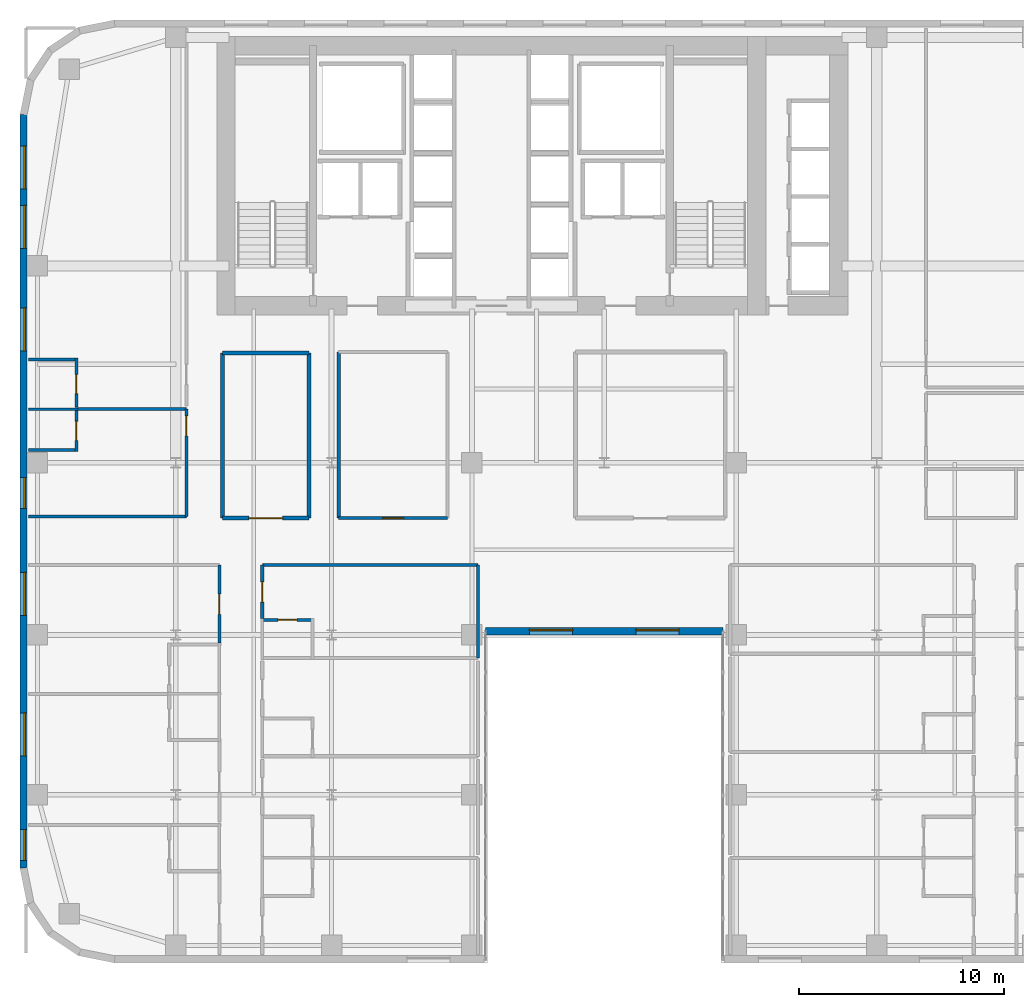
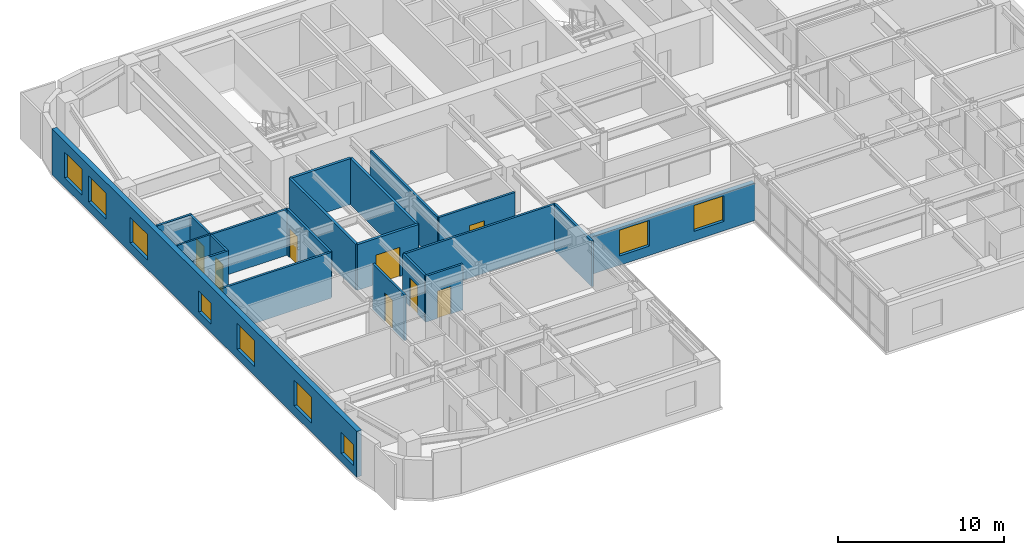
# One storey, part 11 of 17: 21 walls, 9 windows, 8 doors, 17 openings.
"""IFC4 building model written with IfcOpenShell, lengths in metres."""

from ifc_helpers import new_model, si_unit, direction, frame, frame_2d, origin, place, context, subcontext, project, spatial, rectangle, extrude, source, transform, mapped, material, layer, layer_set, type_object, type_shapes, element, fill, save


model = new_model("IFC4")

# Units and contexts
model_context = context("Model", 3, precision=1e-05, world=origin(), true_north=direction((0.0, 1.0)))
body_context = subcontext(model_context, "Body", "Model", "MODEL_VIEW")
ifc_project = project(units=[si_unit("LENGTHUNIT", "METRE"), si_unit("AREAUNIT", "SQUARE_METRE"), si_unit("VOLUMEUNIT", "CUBIC_METRE"), si_unit("PLANEANGLEUNIT", "RADIAN"), si_unit("MASSUNIT", "GRAM", prefix="KILO")], contexts=[model_context])

# Site, building, storey
site_placement = place(None, origin())
site = spatial("IfcSite", under=ifc_project, at=site_placement, CompositionType="ELEMENT")
building_placement = place(site_placement, origin())
building = spatial("IfcBuilding", under=site, at=building_placement, Name="Tolvann Quenvar Hotel", CompositionType="ELEMENT")
storey_placement = place(building_placement, frame((0.0, 0.0, 42.64990234375)))
storey = spatial("IfcBuildingStorey", under=building, at=storey_placement, Name="L09", CompositionType="ELEMENT", Elevation=42.64990234375)

# Wall, openings, windows
ifc_material_1 = material(Name="Kiln-fired red and buff architectural clay brickwork and terracotta masonry", Category="masonry")
ifc_layer_1 = layer(ifc_material_1, 0.35009765625)
ifc_layer_set_1 = layer_set([ifc_layer_1], Name="Kiln-fired red and buff architectural clay brickwork and terracotta masonry")
wall_type_1 = type_object("IfcWallType", Name="WALL_EXT_BRICK_350", PredefinedType="SOLIDWALL", material=ifc_layer_set_1)
wall_1_placement = place(storey_placement, frame((22.7099609375, 16.175048828125, 0.0), z_axis=(0.0, 0.0, 1.0), x_axis=(1.0, 0.0, 0.0)))
wall_1 = element("IfcWall", 1, at=wall_1_placement, inside=storey, type_object=wall_type_1, Name="Exterior Chicago Brick Wall L09-E06", PredefinedType="SOLIDWALL", context=body_context, shape_type="SweptSolid", body=[
    extrude(rectangle(XDim=11.580078125, YDim=0.35009765625, at=frame_2d((5.7900390625, 0.0))), origin(), (0.0, 0.0, 1.0), 2.748046875),
])
opening_1_placement = place(wall_1_placement, frame((2.14501953125, 0.0, 0.679931640625)))
opening_1 = element("IfcOpeningElement", 2, at=opening_1_placement, cuts=wall_1, Name="Opening W-02", PredefinedType="OPENING", context=body_context, shape_type="SweptSolid", body=[
    extrude(rectangle(XDim=2.10009765625, YDim=1.89990234375, at=frame_2d((1.050048828125, 0.949951171875))), frame((0.0, 0.18505859375, 0.0), z_axis=(0.0, -1.0, 0.0), x_axis=(1.0, 0.0, 0.0)), (0.0, 0.0, 1.0), 0.3701171875),
])
opening_2_placement = place(wall_1_placement, frame((7.3349609375, 0.0, 0.679931640625)))
opening_2 = element("IfcOpeningElement", 3, at=opening_2_placement, cuts=wall_1, Name="Opening W-02", PredefinedType="OPENING", context=body_context, shape_type="SweptSolid", body=[
    extrude(rectangle(XDim=2.10009765625, YDim=1.89990234375, at=frame_2d((1.050048828125, 0.949951171875))), frame((0.0, 0.18505859375, 0.0), z_axis=(0.0, -1.0, 0.0), x_axis=(1.0, 0.0, 0.0)), (0.0, 0.0, 1.0), 0.3701171875),
])
ifc_material_2 = material(Name="Thermally broken bronze-anodised aluminium frame with double low-E glazing", Category="aluminium")
window_type_1 = type_object("IfcWindowType", Name="WIN_CHI_2100x2050", PartitioningType="TRIPLE_PANEL_HORIZONTAL", PredefinedType="WINDOW", material=ifc_material_2)
shared_shape_1 = source(origin(), body_context, "Body", "SweptSolid", [
    extrude(rectangle(XDim=2.10009765625, YDim=1.89990234375, at=frame_2d((1.050048828125, 0.949951171875))), frame((0.0, 0.090087890625, 0.0), z_axis=(0.0, -1.0, 0.0), x_axis=(1.0, 0.0, 0.0)), (0.0, 0.0, 1.0), 0.06005859375),
])
type_shapes(window_type_1, [shared_shape_1])
window_1_placement = place(opening_1_placement, origin())
window_1 = element("IfcWindow", 4, at=window_1_placement, inside=storey, type_object=window_type_1, Name="Chicago Window W-02 (EW-L09-E06-W01)", OverallHeight=1.89990234375, OverallWidth=2.10009765625, PartitioningType="TRIPLE_PANEL_HORIZONTAL", PredefinedType="WINDOW", context=body_context, shape_type="MappedRepresentation", body=[
    mapped(shared_shape_1, transform((0.0, 0.0, 0.0), x_axis=(1.0, 0.0, 0.0), y_axis=(0.0, 1.0, 0.0), z_axis=(0.0, 0.0, 1.0), scale=1.0)),
])
fill(opening_1, window_1)
window_2_placement = place(opening_2_placement, origin())
window_2 = element("IfcWindow", 5, at=window_2_placement, inside=storey, type_object=window_type_1, Name="Chicago Window W-02 (EW-L09-E06-W02)", OverallHeight=1.89990234375, OverallWidth=2.10009765625, PartitioningType="TRIPLE_PANEL_HORIZONTAL", PredefinedType="WINDOW", context=body_context, shape_type="MappedRepresentation", body=[
    mapped(shared_shape_1, transform((0.0, 0.0, 0.0), x_axis=(1.0, 0.0, 0.0), y_axis=(0.0, 1.0, 0.0), z_axis=(0.0, 0.0, 1.0), scale=1.0)),
])
fill(opening_2, window_2)

wall_2_placement = place(storey_placement, frame((0.175048828125, 41.3828125, 0.0), z_axis=(0.0, 0.0, 1.0), x_axis=(0.0, -1.0, 0.0)))
wall_2 = element("IfcWall", 6, at=wall_2_placement, inside=storey, type_object=wall_type_1, Name="Exterior Chicago Brick Wall L09-E23", PredefinedType="SOLIDWALL", context=body_context, shape_type="SweptSolid", body=[
    extrude(rectangle(XDim=36.765625, YDim=0.35009765625, at=frame_2d((18.3828125, 0.0))), origin(), (0.0, 0.0, 1.0), 3.3701171875),
])
opening_3_placement = place(wall_2_placement, frame((1.52587890625, 0.0, 0.679931640625)))
opening_3 = element("IfcOpeningElement", 7, at=opening_3_placement, cuts=wall_2, Name="Opening W-02", PredefinedType="OPENING", context=body_context, shape_type="SweptSolid", body=[
    extrude(rectangle(XDim=2.10009765625, YDim=1.89990234375, at=frame_2d((1.050048828125, 0.949951171875))), frame((0.0, 0.18505859375, 0.0), z_axis=(0.0, -1.0, 0.0), x_axis=(1.0, 0.0, 0.0)), (0.0, 0.0, 1.0), 0.3701171875),
])
opening_4_placement = place(wall_2_placement, frame((4.427978515625, 0.0, 0.679931640625)))
opening_4 = element("IfcOpeningElement", 8, at=opening_4_placement, cuts=wall_2, Name="Opening W-02", PredefinedType="OPENING", context=body_context, shape_type="SweptSolid", body=[
    extrude(rectangle(XDim=2.10009765625, YDim=1.89990234375, at=frame_2d((1.050048828125, 0.949951171875))), frame((0.0, 0.18505859375, 0.0), z_axis=(0.0, -1.0, 0.0), x_axis=(1.0, 0.0, 0.0)), (0.0, 0.0, 1.0), 0.3701171875),
])
opening_5_placement = place(wall_2_placement, frame((9.428955078125, 0.0, 0.679931640625)))
opening_5 = element("IfcOpeningElement", 9, at=opening_5_placement, cuts=wall_2, Name="Opening W-02", PredefinedType="OPENING", context=body_context, shape_type="SweptSolid", body=[
    extrude(rectangle(XDim=2.10009765625, YDim=1.89990234375, at=frame_2d((1.050048828125, 0.949951171875))), frame((0.0, 0.18505859375, 0.0), z_axis=(0.0, -1.0, 0.0), x_axis=(1.0, 0.0, 0.0)), (0.0, 0.0, 1.0), 0.3701171875),
])
opening_6_placement = place(wall_2_placement, frame((22.3349609375, 0.0, 0.679931640625)))
opening_6 = element("IfcOpeningElement", 10, at=opening_6_placement, cuts=wall_2, Name="Opening W-02", PredefinedType="OPENING", context=body_context, shape_type="SweptSolid", body=[
    extrude(rectangle(XDim=2.10009765625, YDim=1.89990234375, at=frame_2d((1.050048828125, 0.949951171875))), frame((0.0, 0.18505859375, 0.0), z_axis=(0.0, -1.0, 0.0), x_axis=(1.0, 0.0, 0.0)), (0.0, 0.0, 1.0), 0.3701171875),
])
opening_7_placement = place(wall_2_placement, frame((29.18798828125, 0.0, 0.679931640625)))
opening_7 = element("IfcOpeningElement", 11, at=opening_7_placement, cuts=wall_2, Name="Opening W-02", PredefinedType="OPENING", context=body_context, shape_type="SweptSolid", body=[
    extrude(rectangle(XDim=2.10009765625, YDim=1.89990234375, at=frame_2d((1.050048828125, 0.949951171875))), frame((0.0, 0.18505859375, 0.0), z_axis=(0.0, -1.0, 0.0), x_axis=(1.0, 0.0, 0.0)), (0.0, 0.0, 1.0), 0.3701171875),
])
opening_8_placement = place(wall_2_placement, frame((34.87890625, 0.0, 0.6201171875)))
opening_8 = element("IfcOpeningElement", 12, at=opening_8_placement, cuts=wall_2, Name="Opening W-08", PredefinedType="OPENING", context=body_context, shape_type="SweptSolid", body=[
    extrude(rectangle(XDim=1.5, YDim=1.550048828125, at=frame_2d((0.75, 0.77490234375))), frame((0.0, 0.18505859375, 0.0), z_axis=(0.0, -1.0, 0.0), x_axis=(1.0, 0.0, 0.0)), (0.0, 0.0, 1.0), 0.3701171875),
])
opening_9_placement = place(wall_2_placement, frame((17.7041015625, 0.0, 0.6201171875)))
opening_9 = element("IfcOpeningElement", 13, at=opening_9_placement, cuts=wall_2, Name="Opening W-08", PredefinedType="OPENING", context=body_context, shape_type="SweptSolid", body=[
    extrude(rectangle(XDim=1.5, YDim=1.550048828125, at=frame_2d((0.75, 0.77490234375))), frame((0.0, 0.18505859375, 0.0), z_axis=(0.0, -1.0, 0.0), x_axis=(1.0, 0.0, 0.0)), (0.0, 0.0, 1.0), 0.3701171875),
])
window_type_2 = type_object("IfcWindowType", Name="WIN_COR_1500x2050", PartitioningType="SINGLE_PANEL", PredefinedType="WINDOW", material=ifc_material_2)
shared_shape_2 = source(origin(), body_context, "Body", "SweptSolid", [
    extrude(rectangle(XDim=1.5, YDim=1.550048828125, at=frame_2d((0.75, 0.77490234375))), frame((0.0, 0.090087890625, 0.0), z_axis=(0.0, -1.0, 0.0), x_axis=(1.0, 0.0, 0.0)), (0.0, 0.0, 1.0), 0.06005859375),
])
type_shapes(window_type_2, [shared_shape_2])
window_3_placement = place(opening_8_placement, origin())
window_3 = element("IfcWindow", 14, at=window_3_placement, inside=storey, type_object=window_type_2, Name="Chicago Window W-08 (EW-L09-E23-WD06)", OverallHeight=1.550048828125, OverallWidth=1.5, PartitioningType="SINGLE_PANEL", PredefinedType="WINDOW", context=body_context, shape_type="MappedRepresentation", body=[
    mapped(shared_shape_2, transform((0.0, 0.0, 0.0), x_axis=(1.0, 0.0, 0.0), y_axis=(0.0, 1.0, 0.0), z_axis=(0.0, 0.0, 1.0), scale=1.0)),
])
fill(opening_8, window_3)
window_4_placement = place(opening_9_placement, origin())
window_4 = element("IfcWindow", 15, at=window_4_placement, inside=storey, type_object=window_type_2, Name="Chicago Window W-08 (EW-L09-E23-WD07)", OverallHeight=1.550048828125, OverallWidth=1.5, PartitioningType="SINGLE_PANEL", PredefinedType="WINDOW", context=body_context, shape_type="MappedRepresentation", body=[
    mapped(shared_shape_2, transform((0.0, 0.0, 0.0), x_axis=(1.0, 0.0, 0.0), y_axis=(0.0, 1.0, 0.0), z_axis=(0.0, 0.0, 1.0), scale=1.0)),
])
fill(opening_9, window_4)
window_5_placement = place(opening_3_placement, origin())
window_5 = element("IfcWindow", 16, at=window_5_placement, inside=storey, type_object=window_type_1, Name="Chicago Window W-02 (EW-L09-E23-W01)", OverallHeight=1.89990234375, OverallWidth=2.10009765625, PartitioningType="TRIPLE_PANEL_HORIZONTAL", PredefinedType="WINDOW", context=body_context, shape_type="MappedRepresentation", body=[
    mapped(shared_shape_1, transform((0.0, 0.0, 0.0), x_axis=(1.0, 0.0, 0.0), y_axis=(0.0, 1.0, 0.0), z_axis=(0.0, 0.0, 1.0), scale=1.0)),
])
fill(opening_3, window_5)
window_6_placement = place(opening_4_placement, origin())
window_6 = element("IfcWindow", 17, at=window_6_placement, inside=storey, type_object=window_type_1, Name="Chicago Window W-02 (EW-L09-E23-W02)", OverallHeight=1.89990234375, OverallWidth=2.10009765625, PartitioningType="TRIPLE_PANEL_HORIZONTAL", PredefinedType="WINDOW", context=body_context, shape_type="MappedRepresentation", body=[
    mapped(shared_shape_1, transform((0.0, 0.0, 0.0), x_axis=(1.0, 0.0, 0.0), y_axis=(0.0, 1.0, 0.0), z_axis=(0.0, 0.0, 1.0), scale=1.0)),
])
fill(opening_4, window_6)
window_7_placement = place(opening_5_placement, origin())
window_7 = element("IfcWindow", 18, at=window_7_placement, inside=storey, type_object=window_type_1, Name="Chicago Window W-02 (EW-L09-E23-W03)", OverallHeight=1.89990234375, OverallWidth=2.10009765625, PartitioningType="TRIPLE_PANEL_HORIZONTAL", PredefinedType="WINDOW", context=body_context, shape_type="MappedRepresentation", body=[
    mapped(shared_shape_1, transform((0.0, 0.0, 0.0), x_axis=(1.0, 0.0, 0.0), y_axis=(0.0, 1.0, 0.0), z_axis=(0.0, 0.0, 1.0), scale=1.0)),
])
fill(opening_5, window_7)
window_8_placement = place(opening_6_placement, origin())
window_8 = element("IfcWindow", 19, at=window_8_placement, inside=storey, type_object=window_type_1, Name="Chicago Window W-02 (EW-L09-E23-W04)", OverallHeight=1.89990234375, OverallWidth=2.10009765625, PartitioningType="TRIPLE_PANEL_HORIZONTAL", PredefinedType="WINDOW", context=body_context, shape_type="MappedRepresentation", body=[
    mapped(shared_shape_1, transform((0.0, 0.0, 0.0), x_axis=(1.0, 0.0, 0.0), y_axis=(0.0, 1.0, 0.0), z_axis=(0.0, 0.0, 1.0), scale=1.0)),
])
fill(opening_6, window_8)
window_9_placement = place(opening_7_placement, origin())
window_9 = element("IfcWindow", 20, at=window_9_placement, inside=storey, type_object=window_type_1, Name="Chicago Window W-02 (EW-L09-E23-W05)", OverallHeight=1.89990234375, OverallWidth=2.10009765625, PartitioningType="TRIPLE_PANEL_HORIZONTAL", PredefinedType="WINDOW", context=body_context, shape_type="MappedRepresentation", body=[
    mapped(shared_shape_1, transform((0.0, 0.0, 0.0), x_axis=(1.0, 0.0, 0.0), y_axis=(0.0, 1.0, 0.0), z_axis=(0.0, 0.0, 1.0), scale=1.0)),
])
fill(opening_7, window_9)

# Wall, opening, door
ifc_material_3 = material(Name="Acoustic twin-stud fire-rated gypsum plasterboard partition")
ifc_layer_2 = layer(ifc_material_3, 0.179931640625)
ifc_layer_set_2 = layer_set([ifc_layer_2], Name="Acoustic twin-stud fire-rated gypsum plasterboard partition")
wall_type_2 = type_object("IfcWallType", Name="WALL_PART_ACOUSTIC_180", PredefinedType="PARTITIONING", material=ifc_layer_set_2)
wall_3_placement = place(storey_placement, frame((9.8798828125, 21.699951171875, 0.0), z_axis=(0.0, 0.0, 1.0), x_axis=(1.0, 0.0, 0.0)))
wall_3 = element("IfcWall", 21, at=wall_3_placement, inside=storey, type_object=wall_type_2, Name="Interior Partition PT-SPC-L09-MSP-W-S", PredefinedType="PARTITIONING", context=body_context, shape_type="SweptSolid", body=[
    extrude(rectangle(XDim=4.22021484375, YDim=0.179931640625, at=frame_2d((2.110107421875, 0.0))), origin(), (0.0, 0.0, 1.0), 3.3701171875),
])
opening_10_placement = place(wall_3_placement, frame((1.284912109375, 0.0, 0.0)))
opening_10 = element("IfcOpeningElement", 22, at=opening_10_placement, cuts=wall_3, Name="Opening AD-01", PredefinedType="OPENING", context=body_context, shape_type="SweptSolid", body=[
    extrude(rectangle(XDim=1.64990234375, YDim=2.14990234375, at=frame_2d((0.824951171875, 1.074951171875))), frame((0.0, 0.10009765625, 0.0), z_axis=(0.0, -1.0, 0.0), x_axis=(1.0, 0.0, 0.0)), (0.0, 0.0, 1.0), 0.199951171875),
])
ifc_material_4 = material(Name="Solid-core American oak acoustic fire door leaf in steel frame", Category="steel")
door_type_1 = type_object("IfcDoorType", Name="DOOR_SALON_1650", OperationType="NOTDEFINED", PredefinedType="DOOR", material=ifc_material_4)
shared_shape_3 = source(origin(), body_context, "Body", "SweptSolid", [
    extrude(rectangle(XDim=1.64990234375, YDim=2.14990234375, at=frame_2d((0.824951171875, 1.074951171875))), frame((0.0, 0.02490234375, 0.0), z_axis=(0.0, -1.0, 0.0), x_axis=(1.0, 0.0, 0.0)), (0.0, 0.0, 1.0), 0.050048828125),
])
type_shapes(door_type_1, [shared_shape_3])
door_1_placement = place(opening_10_placement, origin())
door_1 = element("IfcDoor", 23, at=door_1_placement, inside=storey, type_object=door_type_1, Name="Interior Door DOOR-SPC-L09-MSP-W", OperationType="DOUBLE_DOOR_SINGLE_SWING", OverallHeight=2.14990234375, OverallWidth=1.64990234375, PredefinedType="DOOR", context=body_context, shape_type="MappedRepresentation", body=[
    mapped(shared_shape_3, transform((0.0, 0.0, 0.0), x_axis=(1.0, 0.0, 0.0), y_axis=(0.0, 1.0, 0.0), z_axis=(0.0, 0.0, 1.0), scale=1.0)),
])
fill(opening_10, door_1)

# Walls
wall_4_placement = place(storey_placement, frame((9.8798828125, 29.75, 0.0), z_axis=(0.0, 0.0, 1.0), x_axis=(1.0, 0.0, 0.0)))
element("IfcWall", 24, at=wall_4_placement, inside=storey, type_object=wall_type_2, Name="Interior Partition PT-SPC-L09-MSP-W-N", PredefinedType="PARTITIONING", context=body_context, shape_type="SweptSolid", body=[
    extrude(rectangle(XDim=4.22021484375, YDim=0.179931640625, at=frame_2d((2.110107421875, 0.0))), origin(), (0.0, 0.0, 1.0), 3.3701171875),
])
for number, where, z_axis, x_axis, name in (
    (25, (9.8798828125, 21.699951171875, 0.0), (0.0, 0.0, 1.0), (0.0, 1.0, 0.0), "Interior Partition PT-SPC-L09-MSP-W-W"),
    (26, (14.10009765625, 21.699951171875, 0.0), (0.0, 0.0, 1.0), (0.0, 1.0, 0.0), "Interior Partition PT-SPC-L09-MSP-W-E"),
):
    element("IfcWall", number, at=place(storey_placement, frame(where, z_axis=z_axis, x_axis=x_axis)), inside=storey, type_object=wall_type_2, Name=name, PredefinedType="PARTITIONING", context=body_context, shape_type="SweptSolid", body=[
        extrude(rectangle(XDim=8.050048828125, YDim=0.179931640625, at=frame_2d((4.02490234375, 0.0))), origin(), (0.0, 0.0, 1.0), 3.3701171875),
    ])
ifc_material_5 = material(Name="Moisture-resistant acoustic plumbing wall assembly")
ifc_layer_3 = layer(ifc_material_5, 0.1201171875)
ifc_layer_set_3 = layer_set([ifc_layer_3], Name="Moisture-resistant acoustic plumbing wall assembly")
wall_type_3 = type_object("IfcWallType", Name="WALL_PART_BATH_120", PredefinedType="PLUMBINGWALL", material=ifc_layer_set_3)
wall_5_placement = place(storey_placement, frame((0.405029296875, 27.02001953125, 0.0), z_axis=(0.0, 0.0, 1.0), x_axis=(1.0, 0.0, 0.0)))
element("IfcWall", 27, at=wall_5_placement, inside=storey, type_object=wall_type_3, Name="Non-Rated Plumbing Partition PT-SPC-L09-ENS-NW01-N", PredefinedType="PLUMBINGWALL", context=body_context, shape_type="SweptSolid", body=[
    extrude(rectangle(XDim=2.4150390625, YDim=0.1201171875, at=frame_2d((1.20751953125, 0.0))), origin(), (0.0, 0.0, 1.0), 3.3701171875),
])

# Wall, opening, door
ifc_layer_4 = layer(ifc_material_3, 0.14990234375)
ifc_layer_set_4 = layer_set([ifc_layer_4], Name="Acoustic twin-stud fire-rated gypsum plasterboard partition")
wall_type_4 = type_object("IfcWallType", Name="WALL_PART_SUITE_150", PredefinedType="PARTITIONING", material=ifc_layer_set_4)
wall_6_placement = place(storey_placement, frame((11.75, 16.72998046875, 0.0), z_axis=(0.0, 0.0, 1.0), x_axis=(1.0, 0.0, 0.0)))
wall_6 = element("IfcWall", 28, at=wall_6_placement, inside=storey, type_object=wall_type_4, Name="Interior Partition PT-SPC-L09-ENS-WI04-N", PredefinedType="PARTITIONING", context=body_context, shape_type="SweptSolid", body=[
    extrude(rectangle(XDim=2.590087890625, YDim=0.14990234375, at=frame_2d((1.294921875, 0.0))), origin(), (0.0, 0.0, 1.0), 3.3701171875),
])
opening_11_placement = place(wall_6_placement, frame((0.8349609375, 0.0, 0.0)))
opening_11 = element("IfcOpeningElement", 29, at=opening_11_placement, cuts=wall_6, Name="Opening WD-01", PredefinedType="OPENING", context=body_context, shape_type="SweptSolid", body=[
    extrude(rectangle(XDim=0.919921875, YDim=2.010009765625, at=frame_2d((0.4599609375, 1.0048828125))), frame((0.0, 0.0849609375, 0.0), z_axis=(0.0, -1.0, 0.0), x_axis=(1.0, 0.0, 0.0)), (0.0, 0.0, 1.0), 0.169921875),
])
door_type_2 = type_object("IfcDoorType", Name="DOOR_WC_920", OperationType="NOTDEFINED", PredefinedType="DOOR", material=ifc_material_4)
shared_shape_4 = source(origin(), body_context, "Body", "SweptSolid", [
    extrude(rectangle(XDim=0.919921875, YDim=2.010009765625, at=frame_2d((0.4599609375, 1.0048828125))), frame((0.0, 0.02490234375, 0.0), z_axis=(0.0, -1.0, 0.0), x_axis=(1.0, 0.0, 0.0)), (0.0, 0.0, 1.0), 0.050048828125),
])
type_shapes(door_type_2, [shared_shape_4])
door_2_placement = place(opening_11_placement, origin())
door_2 = element("IfcDoor", 30, at=door_2_placement, inside=storey, type_object=door_type_2, Name="Interior Door DOOR-SPC-L09-ENS-WI04", OperationType="SINGLE_SWING_RIGHT", OverallHeight=2.010009765625, OverallWidth=0.919921875, PredefinedType="DOOR", context=body_context, shape_type="MappedRepresentation", body=[
    mapped(shared_shape_4, transform((0.0, 0.0, 0.0), x_axis=(1.0, 0.0, 0.0), y_axis=(0.0, 1.0, 0.0), z_axis=(0.0, 0.0, 1.0), scale=1.0)),
])
fill(opening_11, door_2)

wall_7_placement = place(storey_placement, frame((2.75, 24.958984375, 0.0), z_axis=(0.0, 0.0, 1.0), x_axis=(0.0, 1.0, 0.0)))
wall_7 = element("IfcWall", 31, at=wall_7_placement, inside=storey, type_object=wall_type_4, Name="Interior Partition PT-SPC-L09-ENS-NW01-ENT", PredefinedType="PARTITIONING", context=body_context, shape_type="SweptSolid", body=[
    extrude(rectangle(XDim=2.131103515625, YDim=0.14990234375, at=frame_2d((1.0654296875, 0.0))), origin(), (0.0, 0.0, 1.0), 3.3701171875),
])
opening_12_placement = place(wall_7_placement, frame((0.535400390625, 0.0, 0.0)))
opening_12 = element("IfcOpeningElement", 32, at=opening_12_placement, cuts=wall_7, Name="Opening WD-01", PredefinedType="OPENING", context=body_context, shape_type="SweptSolid", body=[
    extrude(rectangle(XDim=0.919921875, YDim=2.010009765625, at=frame_2d((0.4599609375, 1.0048828125))), frame((0.0, 0.0849609375, 0.0), z_axis=(0.0, -1.0, 0.0), x_axis=(1.0, 0.0, 0.0)), (0.0, 0.0, 1.0), 0.169921875),
])
door_3_placement = place(opening_12_placement, origin())
door_3 = element("IfcDoor", 33, at=door_3_placement, inside=storey, type_object=door_type_2, Name="Interior Door DOOR-SPC-L09-ENS-NW01", OperationType="SINGLE_SWING_RIGHT", OverallHeight=2.010009765625, OverallWidth=0.919921875, PredefinedType="DOOR", context=body_context, shape_type="MappedRepresentation", body=[
    mapped(shared_shape_4, transform((0.0, 0.0, 0.0), x_axis=(1.0, 0.0, 0.0), y_axis=(0.0, 1.0, 0.0), z_axis=(0.0, 0.0, 1.0), scale=1.0)),
])
fill(opening_12, door_3)

# Wall
wall_8_placement = place(storey_placement, frame((0.405029296875, 25.029052734375, 0.0), z_axis=(0.0, 0.0, 1.0), x_axis=(1.0, 0.0, 0.0)))
element("IfcWall", 34, at=wall_8_placement, inside=storey, type_object=wall_type_4, Name="Interior Partition PT-SPC-L09-ENS-NW01-S", PredefinedType="PARTITIONING", context=body_context, shape_type="SweptSolid", body=[
    extrude(rectangle(XDim=2.4150390625, YDim=0.14990234375, at=frame_2d((1.20751953125, 0.0))), origin(), (0.0, 0.0, 1.0), 3.3701171875),
])

# Wall, opening, door
wall_9_placement = place(storey_placement, frame((2.75, 27.110107421875, 0.0), z_axis=(0.0, 0.0, 1.0), x_axis=(0.0, 1.0, 0.0)))
wall_9 = element("IfcWall", 35, at=wall_9_placement, inside=storey, type_object=wall_type_4, Name="Interior Partition PT-SPC-L09-ENS-NW02-ENT", PredefinedType="PARTITIONING", context=body_context, shape_type="SweptSolid", body=[
    extrude(rectangle(XDim=2.389892578125, YDim=0.14990234375, at=frame_2d((1.19482421875, 0.0))), origin(), (0.0, 0.0, 1.0), 3.3701171875),
])
opening_13_placement = place(wall_9_placement, frame((0.6650390625, 0.0, 0.0)))
opening_13 = element("IfcOpeningElement", 36, at=opening_13_placement, cuts=wall_9, Name="Opening WD-01", PredefinedType="OPENING", context=body_context, shape_type="SweptSolid", body=[
    extrude(rectangle(XDim=0.919921875, YDim=2.010009765625, at=frame_2d((0.4599609375, 1.0048828125))), frame((0.0, 0.0849609375, 0.0), z_axis=(0.0, -1.0, 0.0), x_axis=(1.0, 0.0, 0.0)), (0.0, 0.0, 1.0), 0.169921875),
])
door_4_placement = place(opening_13_placement, origin())
door_4 = element("IfcDoor", 37, at=door_4_placement, inside=storey, type_object=door_type_2, Name="Interior Door DOOR-SPC-L09-ENS-NW02", OperationType="SINGLE_SWING_LEFT", OverallHeight=2.010009765625, OverallWidth=0.919921875, PredefinedType="DOOR", context=body_context, shape_type="MappedRepresentation", body=[
    mapped(shared_shape_4, transform((0.0, 0.0, 0.0), x_axis=(1.0, 0.0, 0.0), y_axis=(0.0, 1.0, 0.0), z_axis=(0.0, 0.0, 1.0), scale=1.0)),
])
fill(opening_13, door_4)

# Wall
wall_10_placement = place(storey_placement, frame((0.405029296875, 29.429931640625, 0.0), z_axis=(0.0, 0.0, 1.0), x_axis=(1.0, 0.0, 0.0)))
element("IfcWall", 38, at=wall_10_placement, inside=storey, type_object=wall_type_4, Name="Interior Partition PT-SPC-L09-ENS-NW02-N", PredefinedType="PARTITIONING", context=body_context, shape_type="SweptSolid", body=[
    extrude(rectangle(XDim=2.4150390625, YDim=0.14990234375, at=frame_2d((1.20751953125, 0.0))), origin(), (0.0, 0.0, 1.0), 3.3701171875),
])

# Wall, opening, door
wall_11_placement = place(storey_placement, frame((9.72998046875, 15.610107421875, 0.0), z_axis=(0.0, 0.0, 1.0), x_axis=(0.0, 1.0, 0.0)))
wall_11 = element("IfcWall", 39, at=wall_11_placement, inside=storey, type_object=wall_type_4, Name="Interior Partition PT-SPC-L09-RM-WO03-ENT", PredefinedType="PARTITIONING", context=body_context, shape_type="SweptSolid", body=[
    extrude(rectangle(XDim=3.809814453125, YDim=0.14990234375, at=frame_2d((1.90478515625, 0.0))), origin(), (0.0, 0.0, 1.0), 3.3701171875),
])
opening_14_placement = place(wall_11_placement, frame((1.39501953125, 0.0, 0.0)))
opening_14 = element("IfcOpeningElement", 40, at=opening_14_placement, cuts=wall_11, Name="Opening SD-01", PredefinedType="OPENING", context=body_context, shape_type="SweptSolid", body=[
    extrude(rectangle(XDim=0.97998046875, YDim=2.1201171875, at=frame_2d((0.489990234375, 1.06005859375))), frame((0.0, 0.0849609375, 0.0), z_axis=(0.0, -1.0, 0.0), x_axis=(1.0, 0.0, 0.0)), (0.0, 0.0, 1.0), 0.169921875),
])
door_type_3 = type_object("IfcDoorType", Name="DOOR_SUITE_980", OperationType="NOTDEFINED", PredefinedType="DOOR", material=ifc_material_4)
shared_shape_5 = source(origin(), body_context, "Body", "SweptSolid", [
    extrude(rectangle(XDim=0.97998046875, YDim=2.1201171875, at=frame_2d((0.489990234375, 1.06005859375))), frame((0.0, 0.02490234375, 0.0), z_axis=(0.0, -1.0, 0.0), x_axis=(1.0, 0.0, 0.0)), (0.0, 0.0, 1.0), 0.050048828125),
])
type_shapes(door_type_3, [shared_shape_5])
door_5_placement = place(opening_14_placement, origin())
door_5 = element("IfcDoor", 41, at=door_5_placement, inside=storey, type_object=door_type_3, Name="Interior Door DOOR-SPC-L09-RM-WO03", OperationType="SINGLE_SWING_LEFT", OverallHeight=2.1201171875, OverallWidth=0.97998046875, PredefinedType="DOOR", context=body_context, shape_type="MappedRepresentation", body=[
    mapped(shared_shape_5, transform((0.0, 0.0, 0.0), x_axis=(1.0, 0.0, 0.0), y_axis=(0.0, 1.0, 0.0), z_axis=(0.0, 0.0, 1.0), scale=1.0)),
])
fill(opening_14, door_5)

wall_12_placement = place(storey_placement, frame((11.820068359375, 16.81005859375, 0.0), z_axis=(0.0, 0.0, 1.0), x_axis=(0.0, 1.0, 0.0)))
wall_12 = element("IfcWall", 42, at=wall_12_placement, inside=storey, type_object=wall_type_4, Name="Interior Partition PT-SPC-L09-RM-WI04-ENT", PredefinedType="PARTITIONING", context=body_context, shape_type="SweptSolid", body=[
    extrude(rectangle(XDim=2.60986328125, YDim=0.14990234375, at=frame_2d((1.304931640625, 0.0))), origin(), (0.0, 0.0, 1.0), 3.3701171875),
])
opening_15_placement = place(wall_12_placement, frame((0.794921875, 0.0, 0.0)))
opening_15 = element("IfcOpeningElement", 43, at=opening_15_placement, cuts=wall_12, Name="Opening SD-01", PredefinedType="OPENING", context=body_context, shape_type="SweptSolid", body=[
    extrude(rectangle(XDim=0.97998046875, YDim=2.1201171875, at=frame_2d((0.489990234375, 1.06005859375))), frame((0.0, 0.0849609375, 0.0), z_axis=(0.0, -1.0, 0.0), x_axis=(1.0, 0.0, 0.0)), (0.0, 0.0, 1.0), 0.169921875),
])
door_6_placement = place(opening_15_placement, origin())
door_6 = element("IfcDoor", 44, at=door_6_placement, inside=storey, type_object=door_type_3, Name="Interior Door DOOR-SPC-L09-RM-WI04", OperationType="SINGLE_SWING_LEFT", OverallHeight=2.1201171875, OverallWidth=0.97998046875, PredefinedType="DOOR", context=body_context, shape_type="MappedRepresentation", body=[
    mapped(shared_shape_5, transform((0.0, 0.0, 0.0), x_axis=(1.0, 0.0, 0.0), y_axis=(0.0, 1.0, 0.0), z_axis=(0.0, 0.0, 1.0), scale=1.0)),
])
fill(opening_15, door_6)

# Walls
wall_13_placement = place(storey_placement, frame((22.35009765625, 14.8798828125, 0.0), z_axis=(0.0, 0.0, 1.0), x_axis=(0.0, 1.0, 0.0)))
element("IfcWall", 45, at=wall_13_placement, inside=storey, type_object=wall_type_4, Name="Interior Partition PT-SPC-L09-RM-WI04-E4", PredefinedType="PARTITIONING", context=body_context, shape_type="SweptSolid", body=[
    extrude(rectangle(XDim=4.5400390625, YDim=0.14990234375, at=frame_2d((2.27001953125, 0.0))), origin(), (0.0, 0.0, 1.0), 3.3701171875),
])
wall_14_placement = place(storey_placement, frame((11.820068359375, 19.419921875, 0.0), z_axis=(0.0, 0.0, 1.0), x_axis=(1.0, 0.0, 0.0)))
element("IfcWall", 46, at=wall_14_placement, inside=storey, type_object=wall_type_4, Name="Interior Partition PT-SPC-L09-RM-WI04-E5", PredefinedType="PARTITIONING", context=body_context, shape_type="SweptSolid", body=[
    extrude(rectangle(XDim=10.530029296875, YDim=0.14990234375, at=frame_2d((5.26513671875, 0.0))), origin(), (0.0, 0.0, 1.0), 3.3701171875),
])

# Wall, opening, door
wall_15_placement = place(storey_placement, frame((8.1201171875, 21.780029296875, 0.0), z_axis=(0.0, 0.0, 1.0), x_axis=(0.0, 1.0, 0.0)))
wall_15 = element("IfcWall", 47, at=wall_15_placement, inside=storey, type_object=wall_type_4, Name="Interior Partition PT-SPC-L09-RM-NW01-ENT", PredefinedType="PARTITIONING", context=body_context, shape_type="SweptSolid", body=[
    extrude(rectangle(XDim=5.239990234375, YDim=0.14990234375, at=frame_2d((2.6201171875, 0.0))), origin(), (0.0, 0.0, 1.0), 3.3701171875),
])
opening_16_placement = place(wall_15_placement, frame((3.929931640625, 0.0, 0.0)))
opening_16 = element("IfcOpeningElement", 48, at=opening_16_placement, cuts=wall_15, Name="Opening SD-01", PredefinedType="OPENING", context=body_context, shape_type="SweptSolid", body=[
    extrude(rectangle(XDim=0.97998046875, YDim=2.1201171875, at=frame_2d((0.489990234375, 1.06005859375))), frame((0.0, 0.0849609375, 0.0), z_axis=(0.0, -1.0, 0.0), x_axis=(1.0, 0.0, 0.0)), (0.0, 0.0, 1.0), 0.169921875),
])
door_7_placement = place(opening_16_placement, origin())
door_7 = element("IfcDoor", 49, at=door_7_placement, inside=storey, type_object=door_type_3, Name="Interior Door DOOR-SPC-L09-RM-NW01", OperationType="SINGLE_SWING_LEFT", OverallHeight=2.1201171875, OverallWidth=0.97998046875, PredefinedType="DOOR", context=body_context, shape_type="MappedRepresentation", body=[
    mapped(shared_shape_5, transform((0.0, 0.0, 0.0), x_axis=(1.0, 0.0, 0.0), y_axis=(0.0, 1.0, 0.0), z_axis=(0.0, 0.0, 1.0), scale=1.0)),
])
fill(opening_16, door_7)

# Walls
wall_16_placement = place(storey_placement, frame((0.405029296875, 21.780029296875, 0.0), z_axis=(0.0, 0.0, 1.0), x_axis=(1.0, 0.0, 0.0)))
element("IfcWall", 50, at=wall_16_placement, inside=storey, type_object=wall_type_4, Name="Interior Partition PT-SPC-L09-RM-NW01-E1", PredefinedType="PARTITIONING", context=body_context, shape_type="SweptSolid", body=[
    extrude(rectangle(XDim=7.715087890625, YDim=0.14990234375, at=frame_2d((3.857421875, 0.0))), origin(), (0.0, 0.0, 1.0), 3.3701171875),
])
wall_17_placement = place(storey_placement, frame((2.77001953125, 27.02001953125, 0.0), z_axis=(0.0, 0.0, 1.0), x_axis=(1.0, 0.0, 0.0)))
element("IfcWall", 51, at=wall_17_placement, inside=storey, type_object=wall_type_4, Name="Interior Partition PT-SPC-L09-RM-NW01-E3", PredefinedType="PARTITIONING", context=body_context, shape_type="SweptSolid", body=[
    extrude(rectangle(XDim=5.35009765625, YDim=0.14990234375, at=frame_2d((2.675048828125, 0.0))), origin(), (0.0, 0.0, 1.0), 3.3701171875),
])

# Wall, opening, door
wall_18_placement = place(storey_placement, frame((15.550048828125, 21.699951171875, 0.0), z_axis=(0.0, 0.0, 1.0), x_axis=(1.0, 0.0, 0.0)))
wall_18 = element("IfcWall", 52, at=wall_18_placement, inside=storey, type_object=wall_type_4, Name="Interior Partition PT-SPC-L09-MSP-N-S", PredefinedType="PARTITIONING", context=body_context, shape_type="SweptSolid", body=[
    extrude(rectangle(XDim=5.300048828125, YDim=0.14990234375, at=frame_2d((2.64990234375, 0.0))), origin(), (0.0, 0.0, 1.0), 3.3701171875),
])
opening_17_placement = place(wall_18_placement, frame((2.139892578125, 0.0, 0.0)))
opening_17 = element("IfcOpeningElement", 53, at=opening_17_placement, cuts=wall_18, Name="Opening HD-01", PredefinedType="OPENING", context=body_context, shape_type="SweptSolid", body=[
    extrude(rectangle(XDim=1.02001953125, YDim=2.030029296875, at=frame_2d((0.510009765625, 1.01513671875))), frame((0.0, 0.0849609375, 0.0), z_axis=(0.0, -1.0, 0.0), x_axis=(1.0, 0.0, 0.0)), (0.0, 0.0, 1.0), 0.169921875),
])
ifc_material_6 = material(Name="Pressed galvanised steel fire-rated door set", Category="steel")
door_type_4 = type_object("IfcDoorType", Name="DOOR_BOH_1020", OperationType="NOTDEFINED", PredefinedType="DOOR", material=ifc_material_6)
shared_shape_6 = source(origin(), body_context, "Body", "SweptSolid", [
    extrude(rectangle(XDim=1.02001953125, YDim=2.030029296875, at=frame_2d((0.510009765625, 1.01513671875))), frame((0.0, 0.02490234375, 0.0), z_axis=(0.0, -1.0, 0.0), x_axis=(1.0, 0.0, 0.0)), (0.0, 0.0, 1.0), 0.050048828125),
])
type_shapes(door_type_4, [shared_shape_6])
door_8_placement = place(opening_17_placement, origin())
door_8 = element("IfcDoor", 54, at=door_8_placement, inside=storey, type_object=door_type_4, Name="Interior Door DOOR-SPC-L09-MSP-N", OperationType="SINGLE_SWING_LEFT", OverallHeight=2.030029296875, OverallWidth=1.02001953125, PredefinedType="DOOR", context=body_context, shape_type="MappedRepresentation", body=[
    mapped(shared_shape_6, transform((0.0, 0.0, 0.0), x_axis=(1.0, 0.0, 0.0), y_axis=(0.0, 1.0, 0.0), z_axis=(0.0, 0.0, 1.0), scale=1.0)),
])
fill(opening_17, door_8)

# Wall
wall_19_placement = place(storey_placement, frame((15.550048828125, 21.699951171875, 0.0), z_axis=(0.0, 0.0, 1.0), x_axis=(0.0, 1.0, 0.0)))
element("IfcWall", 55, at=wall_19_placement, inside=storey, type_object=wall_type_4, Name="Interior Partition PT-SPC-L09-MSP-N-W", PredefinedType="PARTITIONING", context=body_context, shape_type="SweptSolid", body=[
    extrude(rectangle(XDim=8.10009765625, YDim=0.14990234375, at=frame_2d((4.050048828125, 0.0))), origin(), (0.0, 0.0, 1.0), 3.3701171875),
])

save(model, "model.ifc")
